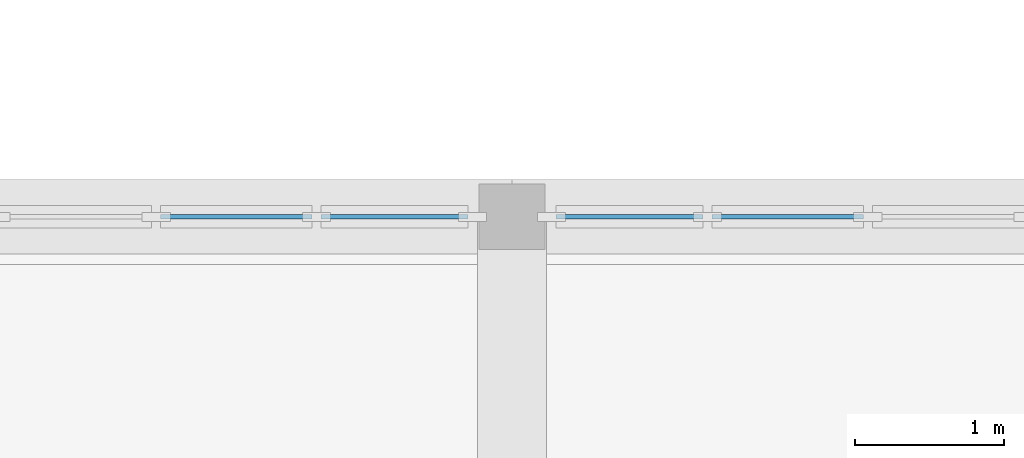
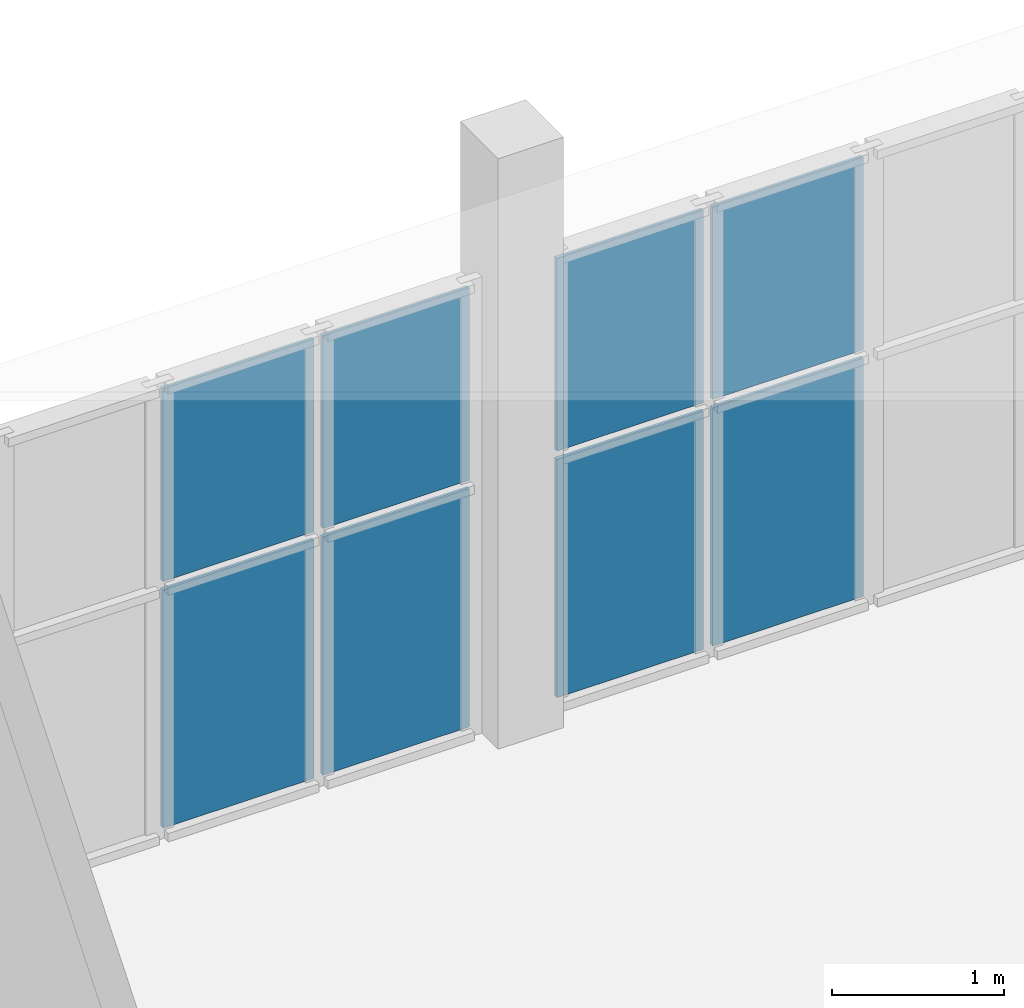
# One storey, part 46 of 70: 8 plates, 2 elements without a shape of their own.
"""IFC4 building model written with IfcOpenShell, lengths in metres."""

from ifc_helpers import new_model, si_unit, direction, frame, origin, origin_2d, place, context, subcontext, project, spatial, rectangle, extrude, material, layer, layer_set, type_object, element, aggregate, save


model = new_model("IFC4")

# Units and contexts
model_context = context("Model", 3, precision=1e-05, world=origin(), true_north=direction((0.0, 1.0)))
body_context = subcontext(model_context, "Body", "Model", "MODEL_VIEW")
ifc_project = project(units=[si_unit("LENGTHUNIT", "METRE"), si_unit("AREAUNIT", "SQUARE_METRE"), si_unit("VOLUMEUNIT", "CUBIC_METRE"), si_unit("PLANEANGLEUNIT", "RADIAN"), si_unit("MASSUNIT", "GRAM", prefix="KILO")], contexts=[model_context])

# Site, building, storey
site_placement = place(None, origin())
site = spatial("IfcSite", under=ifc_project, at=site_placement, CompositionType="ELEMENT")
building_placement = place(site_placement, origin())
building = spatial("IfcBuilding", under=site, at=building_placement, Name="Solvane Community Centre", CompositionType="ELEMENT")
storey_placement = place(building_placement, frame((0.0, 0.0, 9.60009765625)))
storey = spatial("IfcBuildingStorey", under=building, at=storey_placement, Name="L02", CompositionType="ELEMENT", Elevation=9.60009765625)

# Curtain wall, plates
ifc_material_1 = material(Name="Anodised bronze aluminium AW-6063 T6", Category="aluminium")
ifc_layer_1 = layer(ifc_material_1, 0.18994140625)
ifc_layer_set_1 = layer_set([ifc_layer_1], Name="Anodised bronze aluminium AW-6063 T6")
curtain_wall_type = type_object("IfcCurtainWallType", Name="Boulevard Bronze Vision Curtain Wall [75x32dm]", PredefinedType="NOTDEFINED", material=ifc_layer_set_1)
curtain_wall_1_placement = place(storey_placement, origin())
curtain_wall_1 = element("IfcCurtainWall", 1, at=curtain_wall_1_placement, inside=storey, type_object=curtain_wall_type, Name="Curtain Wall CW-L02-1242_600-200", PredefinedType="NOTDEFINED")
ifc_material_2 = material(Name="Tempered low-E double glazing", Category="glass")
ifc_layer_2 = layer(ifc_material_2, 0.028076171875)
ifc_layer_set_2 = layer_set([ifc_layer_2], Name="Tempered low-E double glazing")
plate_type = type_object("IfcPlateType", Name="Low-E Vision Glazing Panel 28mm [75x32dm]", PredefinedType="CURTAIN_PANEL", material=ifc_layer_set_2)
plate_1_placement = place(storey_placement, frame((130.1513671875, 60.0, 0.06005859375), z_axis=(0.0, 0.0, 1.0), x_axis=(1.0, 0.0, 0.0)))
plate_1 = element("IfcPlate", 2, at=plate_1_placement, type_object=plate_type, Name="CW02-75x32 panel 6.1", PredefinedType="CURTAIN_PANEL", context=body_context, shape_type="SweptSolid", body=[
    extrude(rectangle(XDim=1.015625, YDim=0.028076171875, at=origin_2d()), origin(), (0.0, 0.0, 1.0), 1.695068359375),
])
plate_2_placement = place(storey_placement, frame((130.1513671875, 60.0, 1.81494140625), z_axis=(0.0, 0.0, 1.0), x_axis=(1.0, 0.0, 0.0)))
plate_2 = element("IfcPlate", 3, at=plate_2_placement, type_object=plate_type, Name="CW02-75x32 panel 6.2", PredefinedType="CURTAIN_PANEL", context=body_context, shape_type="SweptSolid", body=[
    extrude(rectangle(XDim=1.015625, YDim=0.028076171875, at=origin_2d()), origin(), (0.0, 0.0, 1.0), 1.3701171875),
])
plate_3_placement = place(storey_placement, frame((131.212158203125, 60.0, 0.06005859375), z_axis=(0.0, 0.0, 1.0), x_axis=(1.0, 0.0, 0.0)))
plate_3 = element("IfcPlate", 4, at=plate_3_placement, type_object=plate_type, Name="CW02-75x32 panel 7.1", PredefinedType="CURTAIN_PANEL", context=body_context, shape_type="SweptSolid", body=[
    extrude(rectangle(XDim=0.985595703125, YDim=0.028076171875, at=origin_2d()), origin(), (0.0, 0.0, 1.0), 1.695068359375),
])
plate_4_placement = place(storey_placement, frame((131.212158203125, 60.0, 1.81494140625), z_axis=(0.0, 0.0, 1.0), x_axis=(1.0, 0.0, 0.0)))
plate_4 = element("IfcPlate", 5, at=plate_4_placement, type_object=plate_type, Name="CW02-75x32 panel 7.2", PredefinedType="CURTAIN_PANEL", context=body_context, shape_type="SweptSolid", body=[
    extrude(rectangle(XDim=0.985595703125, YDim=0.028076171875, at=origin_2d()), origin(), (0.0, 0.0, 1.0), 1.3701171875),
])
aggregate(curtain_wall_1, [plate_1, plate_2, plate_3, plate_4])

curtain_wall_2_placement = place(storey_placement, origin())
curtain_wall_2 = element("IfcCurtainWall", 6, at=curtain_wall_2_placement, inside=storey, type_object=curtain_wall_type, Name="Curtain Wall CW-L02-1322_600-201", PredefinedType="NOTDEFINED")
plate_5_placement = place(storey_placement, frame((132.787841796875, 60.0, 0.06005859375), z_axis=(0.0, 0.0, 1.0), x_axis=(1.0, 0.0, 0.0)))
plate_5 = element("IfcPlate", 7, at=plate_5_placement, type_object=plate_type, Name="CW02-75x32 panel 1.1", PredefinedType="CURTAIN_PANEL", context=body_context, shape_type="SweptSolid", body=[
    extrude(rectangle(XDim=0.985595703125, YDim=0.028076171875, at=origin_2d()), origin(), (0.0, 0.0, 1.0), 1.695068359375),
])
plate_6_placement = place(storey_placement, frame((132.787841796875, 60.0, 1.81494140625), z_axis=(0.0, 0.0, 1.0), x_axis=(1.0, 0.0, 0.0)))
plate_6 = element("IfcPlate", 8, at=plate_6_placement, type_object=plate_type, Name="CW02-75x32 panel 1.2", PredefinedType="CURTAIN_PANEL", context=body_context, shape_type="SweptSolid", body=[
    extrude(rectangle(XDim=0.985595703125, YDim=0.028076171875, at=origin_2d()), origin(), (0.0, 0.0, 1.0), 1.3701171875),
])
plate_7_placement = place(storey_placement, frame((133.8486328125, 60.0, 0.06005859375), z_axis=(0.0, 0.0, 1.0), x_axis=(1.0, 0.0, 0.0)))
plate_7 = element("IfcPlate", 9, at=plate_7_placement, type_object=plate_type, Name="CW02-75x32 panel 2.1", PredefinedType="CURTAIN_PANEL", context=body_context, shape_type="SweptSolid", body=[
    extrude(rectangle(XDim=1.015625, YDim=0.028076171875, at=origin_2d()), origin(), (0.0, 0.0, 1.0), 1.695068359375),
])
plate_8_placement = place(storey_placement, frame((133.8486328125, 60.0, 1.81494140625), z_axis=(0.0, 0.0, 1.0), x_axis=(1.0, 0.0, 0.0)))
plate_8 = element("IfcPlate", 10, at=plate_8_placement, type_object=plate_type, Name="CW02-75x32 panel 2.2", PredefinedType="CURTAIN_PANEL", context=body_context, shape_type="SweptSolid", body=[
    extrude(rectangle(XDim=1.015625, YDim=0.028076171875, at=origin_2d()), origin(), (0.0, 0.0, 1.0), 1.3701171875),
])
aggregate(curtain_wall_2, [plate_5, plate_6, plate_7, plate_8])

save(model, "model.ifc")
